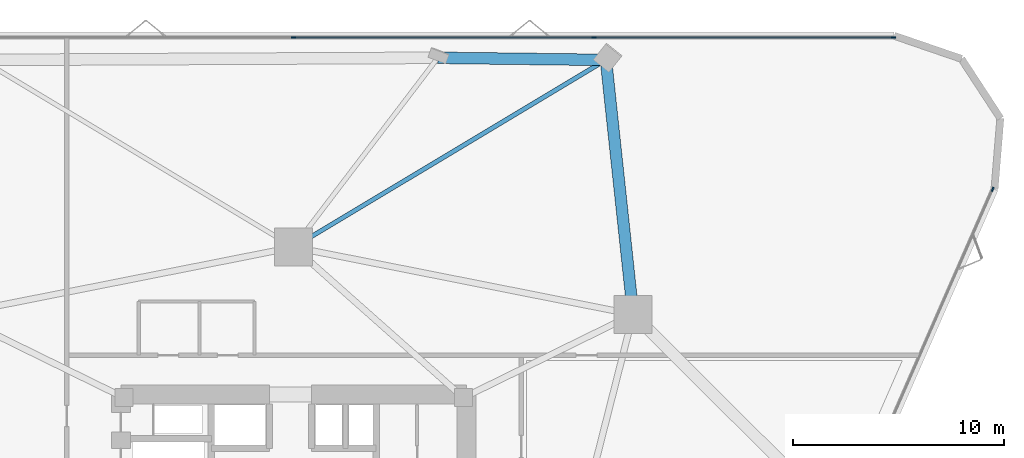
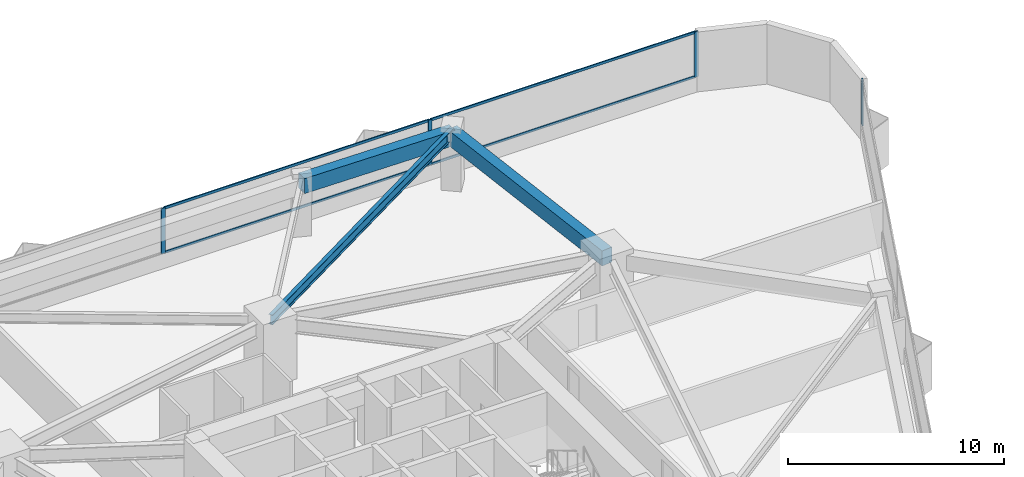
# One storey, part 8 of 16: 8 members, 3 beams, 2 elements without a shape of their own.
"""IFC4 building model written with IfcOpenShell, lengths in metres."""

from ifc_helpers import new_model, si_unit, direction, frame, origin, origin_2d, place, context, subcontext, project, spatial, rectangle, i_section, extrude, material, layer, layer_set, material_profile, profile_set, type_object, element, aggregate, save


model = new_model("IFC4")

# Units and contexts
model_context = context("Model", 3, precision=1e-05, world=origin(), true_north=direction((0.0, 1.0)))
body_context = subcontext(model_context, "Body", "Model", "MODEL_VIEW")
ifc_project = project(units=[si_unit("LENGTHUNIT", "METRE"), si_unit("AREAUNIT", "SQUARE_METRE"), si_unit("VOLUMEUNIT", "CUBIC_METRE"), si_unit("PLANEANGLEUNIT", "RADIAN"), si_unit("MASSUNIT", "GRAM", prefix="KILO")], contexts=[model_context])

# Site, building, storey
site_placement = place(None, origin())
site = spatial("IfcSite", under=ifc_project, at=site_placement, CompositionType="ELEMENT")
building_placement = place(site_placement, origin())
building = spatial("IfcBuilding", under=site, at=building_placement, Name="Talyreon Biosciences Tower", CompositionType="ELEMENT")
storey_placement = place(building_placement, frame((0.0, 0.0, 44.699951171875)))
storey = spatial("IfcBuildingStorey", under=building, at=storey_placement, Name="L11", CompositionType="ELEMENT", Elevation=44.699951171875)

# Curtain wall, members
ifc_material_1 = material(Name="Thermally broken aluminium and low-E glazing", Category="aluminium")
ifc_layer = layer(ifc_material_1, 0.205078125)
ifc_layer_set = layer_set([ifc_layer], Name="Thermally broken aluminium and low-E glazing")
curtain_wall_type = type_object("IfcCurtainWallType", Name="CurtainWall_SkyGardenLoggia", PredefinedType="NOTDEFINED", material=ifc_layer_set)
curtain_wall_1_placement = place(storey_placement, origin())
curtain_wall_1 = element("IfcCurtainWall", 1, at=curtain_wall_1_placement, inside=storey, type_object=curtain_wall_type, Name="L11 Unitised Curtain Wall FCW-L11-03", PredefinedType="NOTDEFINED")
ifc_material_2 = material(Name="Anodised thermally broken aluminium", Category="aluminium")
ifc_material_profile_1 = material_profile(ifc_material_2, rectangle(XDim=0.074951171875, YDim=0.2099609375, at=origin_2d()), Name="ALUM MULLION 75x210")
ifc_profile_set_1 = profile_set([ifc_material_profile_1], Name="Anodised thermally broken aluminium")
member_type_1 = type_object("IfcMemberType", Name="CWMullion_75x210", PredefinedType="MULLION", material=ifc_profile_set_1)
member_1_placement = place(storey_placement, frame((66.0, 91.74072265625, 0.81005859375), z_axis=(0.0, 0.0, 1.0), x_axis=(0.0, 1.0, 0.0)))
member_1 = element("IfcMember", 2, at=member_1_placement, type_object=member_type_1, Name="CW7 mullion 3", PredefinedType="MULLION", context=body_context, shape_type="SweptSolid", body=[
    extrude(rectangle(XDim=0.074951171875, YDim=0.2099609375, at=origin_2d()), origin(), (0.0, 0.0, 1.0), 2.56494140625),
])
member_2_placement = place(storey_placement, frame((80.240478515625, 91.74072265625, 0.81005859375), z_axis=(0.0, 0.0, 1.0), x_axis=(0.0, 1.0, 0.0)))
member_2 = element("IfcMember", 3, at=member_2_placement, type_object=member_type_1, Name="CW7 mullion 4", PredefinedType="MULLION", context=body_context, shape_type="SweptSolid", body=[
    extrude(rectangle(XDim=0.074951171875, YDim=0.2099609375, at=origin_2d()), origin(), (0.0, 0.0, 1.0), 2.56494140625),
])
member_3_placement = place(storey_placement, frame((94.443359375, 91.74072265625, 0.81005859375), z_axis=(0.0, 0.0, 1.0), x_axis=(0.0, 1.0, 0.0)))
member_3 = element("IfcMember", 4, at=member_3_placement, type_object=member_type_1, Name="CW7 mullion 5", PredefinedType="MULLION", context=body_context, shape_type="SweptSolid", body=[
    extrude(rectangle(XDim=0.074951171875, YDim=0.2099609375, at=origin_2d()), origin(), (0.0, 0.0, 1.0), 2.56494140625),
])

# Curtain wall, member
curtain_wall_2_placement = place(storey_placement, origin())
curtain_wall_2 = element("IfcCurtainWall", 5, at=curtain_wall_2_placement, inside=storey, type_object=curtain_wall_type, Name="L11 Unitised Curtain Wall FCW-L11-07", PredefinedType="NOTDEFINED")
member_4_placement = place(storey_placement, frame((99.15576171875, 84.53271484375, 0.81005859375), z_axis=(0.0, 0.0, 1.0), x_axis=(0.91603505667, -0.401098211105, 0.0)))
member_4 = element("IfcMember", 6, at=member_4_placement, type_object=member_type_1, Name="CW7 mullion 1", PredefinedType="MULLION", context=body_context, shape_type="SweptSolid", body=[
    extrude(rectangle(XDim=0.074951171875, YDim=0.2099609375, at=origin_2d()), origin(), (0.0, 0.0, 1.0), 2.56494140625),
])
aggregate(curtain_wall_2, [member_4])

# Member
ifc_material_profile_2 = material_profile(ifc_material_2, rectangle(XDim=0.06494140625, YDim=0.139892578125, at=origin_2d()), Name="ALUM TRANSOM 65x140")
ifc_profile_set_2 = profile_set([ifc_material_profile_2], Name="Anodised thermally broken aluminium")
member_type_2 = type_object("IfcMemberType", Name="CWTransom_65x140", PredefinedType="USERDEFINED", material=ifc_profile_set_2)
member_5_placement = place(storey_placement, frame((66.03759765625, 91.74072265625, 0.842529296875), z_axis=(1.0, 0.0, 0.0), x_axis=(0.0, 1.0, 0.0)))
member_5 = element("IfcMember", 7, at=member_5_placement, type_object=member_type_2, Name="CW7 transom 3.1", ObjectType="TRANSOM", PredefinedType="USERDEFINED", context=body_context, shape_type="SweptSolid", body=[
    extrude(rectangle(XDim=0.06494140625, YDim=0.139892578125, at=origin_2d()), origin(), (0.0, 0.0, 1.0), 14.165283203125),
])

member_6_placement = place(storey_placement, frame((66.03759765625, 91.74072265625, 3.342529296875), z_axis=(1.0, 0.0, 0.0), x_axis=(0.0, 1.0, 0.0)))
member_6 = element("IfcMember", 8, at=member_6_placement, type_object=member_type_2, Name="CW7 transom 3.2", ObjectType="TRANSOM", PredefinedType="USERDEFINED", context=body_context, shape_type="SweptSolid", body=[
    extrude(rectangle(XDim=0.06494140625, YDim=0.139892578125, at=origin_2d()), origin(), (0.0, 0.0, 1.0), 14.165283203125),
])

member_7_placement = place(storey_placement, frame((80.27783203125, 91.74072265625, 0.842529296875), z_axis=(1.0, 0.0, 0.0), x_axis=(0.0, 1.0, 0.0)))
member_7 = element("IfcMember", 9, at=member_7_placement, type_object=member_type_2, Name="CW7 transom 4.1", ObjectType="TRANSOM", PredefinedType="USERDEFINED", context=body_context, shape_type="SweptSolid", body=[
    extrude(rectangle(XDim=0.06494140625, YDim=0.139892578125, at=origin_2d()), origin(), (0.0, 0.0, 1.0), 14.1279296875),
])

member_8_placement = place(storey_placement, frame((80.27783203125, 91.74072265625, 3.342529296875), z_axis=(1.0, 0.0, 0.0), x_axis=(0.0, 1.0, 0.0)))
member_8 = element("IfcMember", 10, at=member_8_placement, type_object=member_type_2, Name="CW7 transom 4.2", ObjectType="TRANSOM", PredefinedType="USERDEFINED", context=body_context, shape_type="SweptSolid", body=[
    extrude(rectangle(XDim=0.06494140625, YDim=0.139892578125, at=origin_2d()), origin(), (0.0, 0.0, 1.0), 14.1279296875),
])

aggregate(curtain_wall_1, [member_1, member_2, member_3, member_5, member_6, member_7, member_8])

# Beams
ifc_material_3 = material(Name="Precast concrete C45/55", Category="concrete")
ifc_material_profile_3 = material_profile(ifc_material_3, rectangle(XDim=0.550048828125, YDim=0.85009765625, at=origin_2d()), Name="RCB 550x850")
ifc_profile_set_3 = profile_set([ifc_material_profile_3], Name="Precast concrete C45/55")
beam_type_1 = type_object("IfcBeamType", Name="ExpressedSpandrel_550x850", PredefinedType="SPANDREL", material=ifc_profile_set_3)
beam_1_placement = place(storey_placement, frame((82.102294921875, 78.5986328125, 2.949951171875), z_axis=(-0.106435850317, 0.994319571248, 0.0), x_axis=(-0.994319571248, -0.106435850317, 0.0)))
element("IfcBeam", 11, at=beam_1_placement, inside=storey, type_object=beam_type_1, Name="L11 Expressed Horizontal Concrete Spandrel 05", PredefinedType="SPANDREL", context=body_context, shape_type="SweptSolid", body=[
    extrude(rectangle(XDim=0.550048828125, YDim=0.85009765625, at=origin_2d()), origin(), (0.0, 0.0, 1.0), 12.140869140625),
])
beam_2_placement = place(storey_placement, frame((80.81005859375, 90.670654296875, 2.949951171875), z_axis=(-0.99992123239, 0.01255105637, 0.0), x_axis=(-0.01255105637, -0.99992123239, 0.0)))
element("IfcBeam", 12, at=beam_2_placement, inside=storey, type_object=beam_type_1, Name="L11 Expressed Horizontal Concrete Spandrel 06", PredefinedType="SPANDREL", context=body_context, shape_type="SweptSolid", body=[
    extrude(rectangle(XDim=0.550048828125, YDim=0.85009765625, at=origin_2d()), origin(), (0.0, 0.0, 1.0), 7.975341796875),
])
ifc_material_4 = material(Name="Steel SM355", Category="steel")
ifc_material_profile_4 = material_profile(ifc_material_4, i_section(OverallWidth=0.2099609375, OverallDepth=0.550048828125, WebThickness=0.010986328125, FlangeThickness=0.01708984375, FilletRadius=0.02392578125, at=origin_2d()), Name="IPE550")
ifc_profile_set_4 = profile_set([ifc_material_profile_4], Name="Steel SM355")
beam_type_2 = type_object("IfcBeamType", Name="SteelJoist_IPE550", PredefinedType="JOIST", material=ifc_profile_set_4)
beam_3_placement = place(storey_placement, frame((66.0, 81.788818359375, 3.10009765625), z_axis=(0.857600184643, 0.514316948292, 0.0), x_axis=(-0.514316948292, 0.857600184643, 0.0)))
element("IfcBeam", 13, at=beam_3_placement, inside=storey, type_object=beam_type_2, Name="L11 Radial Composite Floor Joist PC-N1", PredefinedType="JOIST", context=body_context, shape_type="SweptSolid", body=[
    extrude(i_section(OverallWidth=0.2099609375, OverallDepth=0.550048828125, WebThickness=0.010986328125, FlangeThickness=0.01708984375, FilletRadius=0.02392578125, at=origin_2d()), origin(), (0.0, 0.0, 1.0), 17.269287109375),
])

save(model, "model.ifc")
